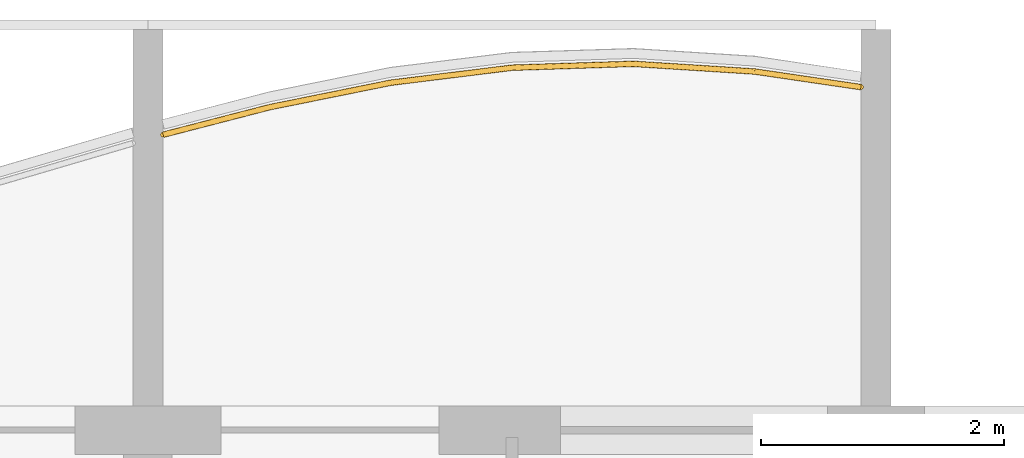
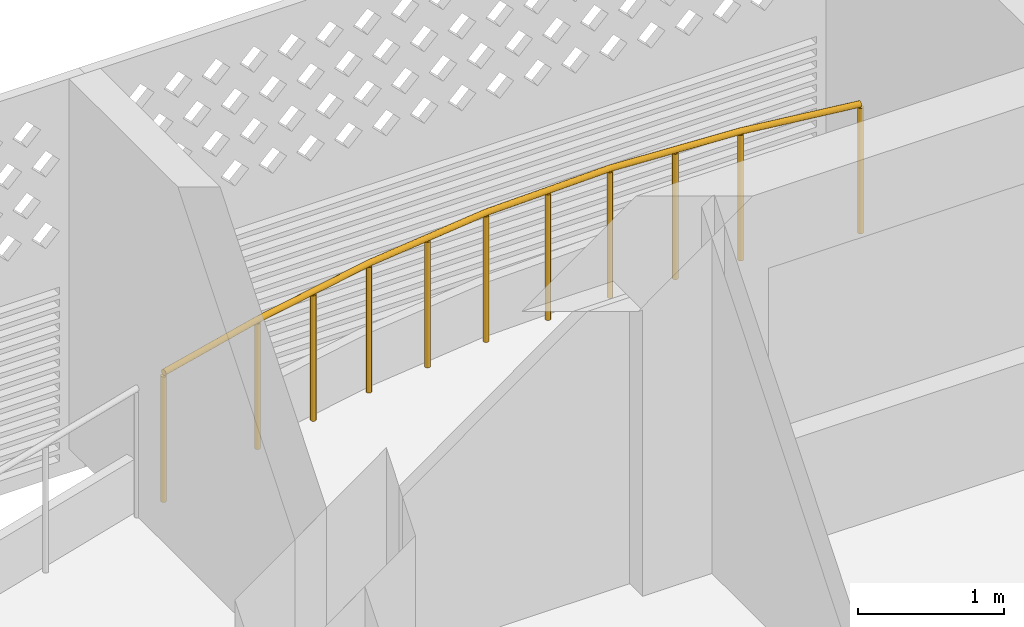
# One storey, part 33 of 38: 1 railing.
"""IFC4 building model written with IfcOpenShell, lengths in metres."""

from ifc_helpers import new_model, si_unit, direction, frame, origin, origin_2d, place, context, subcontext, project, spatial, circle, extrude, material, type_object, element, save


model = new_model("IFC4")

# Units and contexts
model_context = context("Model", 3, precision=1e-05, world=origin(), true_north=direction((0.0, 1.0)))
body_context = subcontext(model_context, "Body", "Model", "MODEL_VIEW")
ifc_project = project(units=[si_unit("LENGTHUNIT", "METRE"), si_unit("AREAUNIT", "SQUARE_METRE"), si_unit("VOLUMEUNIT", "CUBIC_METRE"), si_unit("PLANEANGLEUNIT", "RADIAN"), si_unit("MASSUNIT", "GRAM", prefix="KILO")], contexts=[model_context])

# Site, building, storey
site_placement = place(None, origin())
site = spatial("IfcSite", under=ifc_project, at=site_placement, CompositionType="ELEMENT")
building_placement = place(site_placement, origin())
building = spatial("IfcBuilding", under=site, at=building_placement, Name="Poui Terraces", CompositionType="ELEMENT")
storey_placement = place(building_placement, frame((0.0, 0.0, 46.5)))
storey = spatial("IfcBuildingStorey", under=building, at=storey_placement, Name="L12", CompositionType="ELEMENT", Elevation=46.5)

# Railing
ifc_material = material(Name="Painted steel fretwork", Category="steel")
railing_type = type_object("IfcRailingType", Name="BALCONY GUARD 1100", PredefinedType="GUARDRAIL", material=ifc_material)
railing_placement = place(storey_placement, frame((72.125, 47.234619140625, 0.0)))
element("IfcRailing", 1, at=railing_placement, inside=storey, type_object=railing_type, Name="BALCONY GUARD", PredefinedType="GUARDRAIL", context=body_context, shape_type="SweptSolid", body=[
    extrude(circle(Radius=0.02392578125, at=origin_2d()), frame((0.0, 0.0, 1.076171875), z_axis=(0.968205596165, 0.250155798563, 0.0), x_axis=(-0.250155798563, 0.968205596165, 0.0)), (0.0, 0.0, 1.0), 0.90380859375),
    extrude(circle(Radius=0.02392578125, at=origin_2d()), frame((0.875, 0.22607421875, 1.076171875), z_axis=(0.980127115756, 0.198370453848, 0.0), x_axis=(-0.198370453848, 0.980127115756, 0.0)), (0.0, 0.0, 1.0), 1.020263671875),
    extrude(circle(Radius=0.02392578125, at=origin_2d()), frame((1.875, 0.428466796875, 1.076171875), z_axis=(0.992426262271, 0.122841824944, 0.0), x_axis=(-0.122841824944, 0.992426262271, 0.0)), (0.0, 0.0, 1.0), 1.007568359375),
    extrude(circle(Radius=0.02392578125, at=origin_2d()), frame((2.875, 0.55224609375, 1.076171875), z_axis=(0.999496720941, 0.031722308038, 0.0), x_axis=(-0.031722308038, 0.999496720941, 0.0)), (0.0, 0.0, 1.0), 1.00048828125),
    extrude(circle(Radius=0.02392578125, at=origin_2d()), frame((3.875, 0.583984375, 1.076171875), z_axis=(0.998006805525, -0.063106387361, 0.0), x_axis=(0.063106387361, 0.998006805525, 0.0)), (0.0, 0.0, 1.0), 1.001953125),
    extrude(circle(Radius=0.02392578125, at=origin_2d()), frame((4.875, 0.520751953125, 1.076171875), z_axis=(0.989401169276, -0.1452078725, 0.0), x_axis=(0.1452078725, 0.989401169276, 0.0)), (0.0, 0.0, 1.0), 0.88427734375),
    extrude(circle(Radius=0.02099609375, at=origin_2d()), origin(), (0.0, 0.0, 1.0), 1.052001953125),
    extrude(circle(Radius=0.02099609375, at=origin_2d()), frame((0.875, 0.22607421875, 0.0)), (0.0, 0.0, 1.0), 1.052001953125),
    extrude(circle(Radius=0.02099609375, at=origin_2d()), frame((1.375, 0.3271484375, 0.0)), (0.0, 0.0, 1.0), 1.052001953125),
    extrude(circle(Radius=0.02099609375, at=origin_2d()), frame((1.875, 0.428466796875, 0.0)), (0.0, 0.0, 1.0), 1.052001953125),
    extrude(circle(Radius=0.02099609375, at=origin_2d()), frame((2.375, 0.490234375, 0.0)), (0.0, 0.0, 1.0), 1.052001953125),
    extrude(circle(Radius=0.02099609375, at=origin_2d()), frame((2.875, 0.55224609375, 0.0)), (0.0, 0.0, 1.0), 1.052001953125),
    extrude(circle(Radius=0.02099609375, at=origin_2d()), frame((3.375, 0.568115234375, 0.0)), (0.0, 0.0, 1.0), 1.052001953125),
    extrude(circle(Radius=0.02099609375, at=origin_2d()), frame((3.875, 0.583984375, 0.0)), (0.0, 0.0, 1.0), 1.052001953125),
    extrude(circle(Radius=0.02099609375, at=origin_2d()), frame((4.375, 0.55224609375, 0.0)), (0.0, 0.0, 1.0), 1.052001953125),
    extrude(circle(Radius=0.02099609375, at=origin_2d()), frame((4.875, 0.520751953125, 0.0)), (0.0, 0.0, 1.0), 1.052001953125),
    extrude(circle(Radius=0.02099609375, at=origin_2d()), frame((5.75, 0.392333984375, 0.0)), (0.0, 0.0, 1.0), 1.052001953125),
])

save(model, "model.ifc")
